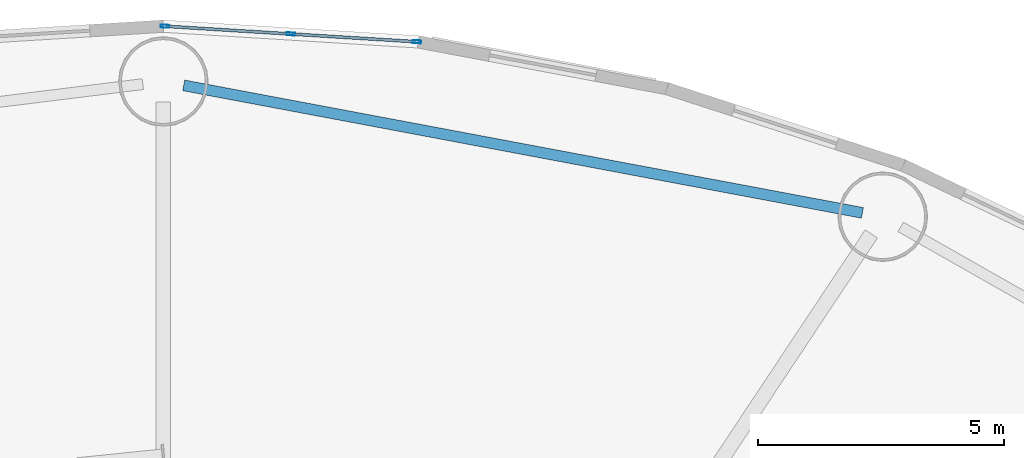
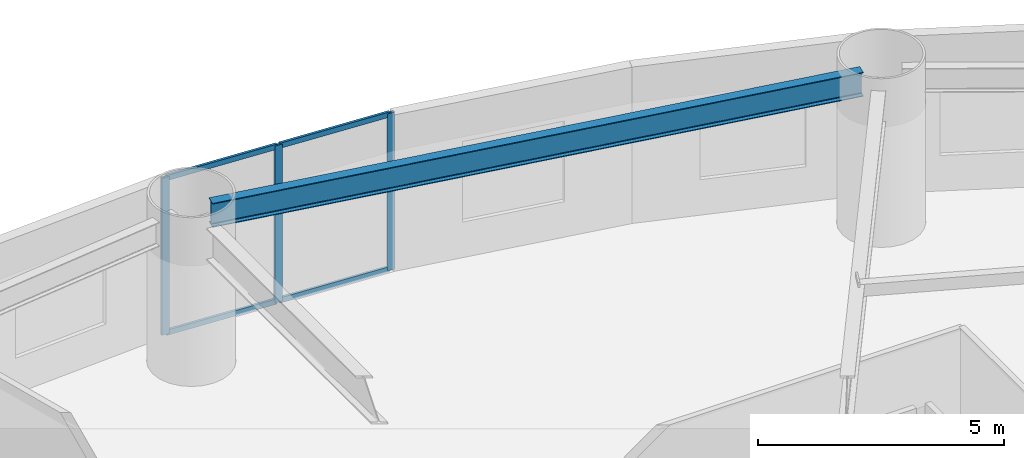
# One storey, part 10 of 30: 7 members, 1 beam, 1 element without a shape of its own.
"""IFC4 building model written with IfcOpenShell, lengths in metres."""

from ifc_helpers import new_model, si_unit, direction, frame, origin, origin_2d, place, context, subcontext, project, spatial, hollow_rectangle, i_section, extrude, source, transform, mapped, material, layer, layer_set, material_profile, profile_set, type_object, element, aggregate, save


model = new_model("IFC4")

# Units and contexts
model_context = context("Model", 3, precision=1e-05, world=origin(), true_north=direction((0.0, 1.0)))
body_context = subcontext(model_context, "Body", "Model", "MODEL_VIEW")
ifc_project = project(units=[si_unit("LENGTHUNIT", "METRE"), si_unit("AREAUNIT", "SQUARE_METRE"), si_unit("VOLUMEUNIT", "CUBIC_METRE"), si_unit("PLANEANGLEUNIT", "RADIAN"), si_unit("MASSUNIT", "GRAM", prefix="KILO")], contexts=[model_context])

# Site, building, storey
site_placement = place(None, origin())
site = spatial("IfcSite", under=ifc_project, at=site_placement, CompositionType="ELEMENT")
building_placement = place(site_placement, origin())
building = spatial("IfcBuilding", under=site, at=building_placement, Name="Linh Dai School and Residence Tower", CompositionType="ELEMENT")
storey_placement = place(building_placement, frame((0.0, 0.0, 10.199951171875)))
storey = spatial("IfcBuildingStorey", under=building, at=storey_placement, Name="L02", CompositionType="ELEMENT", Elevation=10.199951171875)

# Beam
ifc_material_1 = material(Name="Structural Steel S355JR", Category="steel")
ifc_material_profile_1 = material_profile(ifc_material_1, i_section(OverallWidth=0.219970703125, OverallDepth=0.60009765625, WebThickness=0.011962890625, FlangeThickness=0.01904296875, FilletRadius=0.02392578125, at=origin_2d()), Name="IPE 600")
ifc_profile_set_1 = profile_set([ifc_material_profile_1], Name="Structural Steel S355JR")
beam_type = type_object("IfcBeamType", Name="BM-RB60", PredefinedType="BEAM", material=ifc_profile_set_1)
beam_placement = place(storey_placement, frame((50.196533203125, 49.082763671875, 3.60009765625), z_axis=(-0.98280551354, 0.184643772045, 0.0), x_axis=(-0.184643772045, -0.98280551354, 0.0)))
element("IfcBeam", 1, at=beam_placement, inside=storey, type_object=beam_type, Name="L02 Perimeter Elliptical Ring Beam 04", PredefinedType="BEAM", context=body_context, shape_type="SweptSolid", body=[
    extrude(i_section(OverallWidth=0.219970703125, OverallDepth=0.60009765625, WebThickness=0.011962890625, FlangeThickness=0.01904296875, FilletRadius=0.02392578125, at=origin_2d()), origin(), (0.0, 0.0, 1.0), 14.02490234375),
])

# Curtain wall, members
ifc_material_2 = material(Name="Aluminium Anodised Curtain Wall", Category="aluminium")
ifc_layer = layer(ifc_material_2, 0.169921875)
ifc_layer_set = layer_set([ifc_layer], Name="Aluminium Anodised Curtain Wall")
curtain_wall_type = type_object("IfcCurtainWallType", Name="CW-SYS-2", PredefinedType="USERDEFINED", material=ifc_layer_set)
curtain_wall_placement = place(storey_placement, origin())
curtain_wall = element("IfcCurtainWall", 2, at=curtain_wall_placement, inside=storey, type_object=curtain_wall_type, Name="L02 CW2 Curtain Wall 10", ObjectType="UNITISED CURTAIN WALL", PredefinedType="USERDEFINED")
ifc_material_3 = material(Name="Aluminium Alloy 6063-T6", Category="aluminium")
ifc_material_profile_2 = material_profile(ifc_material_3, hollow_rectangle(XDim=0.06005859375, YDim=0.1298828125, WallThickness=0.00390625, at=origin_2d()), Name="RHS 130x60x4")
ifc_profile_set_2 = profile_set([ifc_material_profile_2], Name="Aluminium Alloy 6063-T6")
member_type_1 = type_object("IfcMemberType", Name="CW-SYS-2-TRN", PredefinedType="USERDEFINED", material=ifc_profile_set_2)
shared_shape_1 = source(origin(), body_context, "Body", "SweptSolid", [
    extrude(hollow_rectangle(XDim=0.06005859375, YDim=0.1298828125, WallThickness=0.00390625, at=origin_2d()), origin(), (0.0, 0.0, 1.0), 2.50390625),
])
member_1_placement = place(storey_placement, frame((36.059814453125, 52.871337890625, 0.030029296875), z_axis=(0.99810570363, -0.061522389273, 0.0), x_axis=(0.061522389273, 0.99810570363, 0.0)))
member_1 = element("IfcMember", 3, at=member_1_placement, type_object=member_type_1, Name="CW2 transom 1.1", ObjectType="TRANSOM", PredefinedType="USERDEFINED", context=body_context, shape_type="MappedRepresentation", body=[
    mapped(shared_shape_1, transform((0.0, 0.0, 0.0), x_axis=(1.0, 0.0, 0.0), y_axis=(0.0, 1.0, 0.0), z_axis=(0.0, 0.0, 1.0), scale=1.0)),
])
member_2_placement = place(storey_placement, frame((36.059814453125, 52.871337890625, 3.8701171875), z_axis=(0.99810570363, -0.061522389273, 0.0), x_axis=(0.061522389273, 0.99810570363, 0.0)))
member_2 = element("IfcMember", 4, at=member_2_placement, type_object=member_type_1, Name="CW2 transom 1.2", ObjectType="TRANSOM", PredefinedType="USERDEFINED", context=body_context, shape_type="MappedRepresentation", body=[
    mapped(shared_shape_1, transform((0.0, 0.0, 0.0), x_axis=(1.0, 0.0, 0.0), y_axis=(0.0, 1.0, 0.0), z_axis=(0.0, 0.0, 1.0), scale=1.0)),
])
member_3_placement = place(storey_placement, frame((38.619140625, 52.713623046875, 0.030029296875), z_axis=(0.99810570363, -0.061522389273, 0.0), x_axis=(0.061522389273, 0.99810570363, 0.0)))
member_3 = element("IfcMember", 5, at=member_3_placement, type_object=member_type_1, Name="CW2 transom 2.1", ObjectType="TRANSOM", PredefinedType="USERDEFINED", context=body_context, shape_type="MappedRepresentation", body=[
    mapped(shared_shape_1, transform((0.0, 0.0, 0.0), x_axis=(1.0, 0.0, 0.0), y_axis=(0.0, 1.0, 0.0), z_axis=(0.0, 0.0, 1.0), scale=1.0)),
])
member_4_placement = place(storey_placement, frame((38.619140625, 52.713623046875, 3.8701171875), z_axis=(0.99810570363, -0.061522389273, 0.0), x_axis=(0.061522389273, 0.99810570363, 0.0)))
member_4 = element("IfcMember", 6, at=member_4_placement, type_object=member_type_1, Name="CW2 transom 2.2", ObjectType="TRANSOM", PredefinedType="USERDEFINED", context=body_context, shape_type="MappedRepresentation", body=[
    mapped(shared_shape_1, transform((0.0, 0.0, 0.0), x_axis=(1.0, 0.0, 0.0), y_axis=(0.0, 1.0, 0.0), z_axis=(0.0, 0.0, 1.0), scale=1.0)),
])
ifc_material_profile_3 = material_profile(ifc_material_3, hollow_rectangle(XDim=0.06005859375, YDim=0.169921875, WallThickness=0.00390625, at=origin_2d()), Name="RHS 170x60x4")
ifc_profile_set_3 = profile_set([ifc_material_profile_3], Name="Aluminium Alloy 6063-T6")
member_type_2 = type_object("IfcMemberType", Name="CW-SYS-2-MUL", PredefinedType="MULLION", material=ifc_profile_set_3)
shared_shape_2 = source(origin(), body_context, "Body", "SweptSolid", [
    extrude(hollow_rectangle(XDim=0.06005859375, YDim=0.169921875, WallThickness=0.00390625, at=origin_2d()), origin(), (0.0, 0.0, 1.0), 3.900146484375),
])
member_5_placement = place(storey_placement, frame((36.030029296875, 52.873046875, 0.0), z_axis=(0.0, 0.0, 1.0), x_axis=(0.061516182598, 0.998106086185, 0.0)))
member_5 = element("IfcMember", 7, at=member_5_placement, type_object=member_type_2, Name="CW2 mullion 1", PredefinedType="MULLION", context=body_context, shape_type="MappedRepresentation", body=[
    mapped(shared_shape_2, transform((0.0, 0.0, 0.0), x_axis=(1.0, 0.0, 0.0), y_axis=(0.0, 1.0, 0.0), z_axis=(0.0, 0.0, 1.0), scale=1.0)),
])
member_6_placement = place(storey_placement, frame((38.589111328125, 52.71533203125, 0.0), z_axis=(0.0, 0.0, 1.0), x_axis=(0.061516182598, 0.998106086185, 0.0)))
member_6 = element("IfcMember", 8, at=member_6_placement, type_object=member_type_2, Name="CW2 mullion 2", PredefinedType="MULLION", context=body_context, shape_type="MappedRepresentation", body=[
    mapped(shared_shape_2, transform((0.0, 0.0, 0.0), x_axis=(1.0, 0.0, 0.0), y_axis=(0.0, 1.0, 0.0), z_axis=(0.0, 0.0, 1.0), scale=1.0)),
])
member_7_placement = place(storey_placement, frame((41.148193359375, 52.5576171875, 0.0), z_axis=(0.0, 0.0, 1.0), x_axis=(0.061516182598, 0.998106086185, 0.0)))
member_7 = element("IfcMember", 9, at=member_7_placement, type_object=member_type_2, Name="CW2 mullion 3", PredefinedType="MULLION", context=body_context, shape_type="MappedRepresentation", body=[
    mapped(shared_shape_2, transform((0.0, 0.0, 0.0), x_axis=(1.0, 0.0, 0.0), y_axis=(0.0, 1.0, 0.0), z_axis=(0.0, 0.0, 1.0), scale=1.0)),
])
aggregate(curtain_wall, [member_5, member_6, member_7, member_1, member_2, member_3, member_4])

save(model, "model.ifc")
